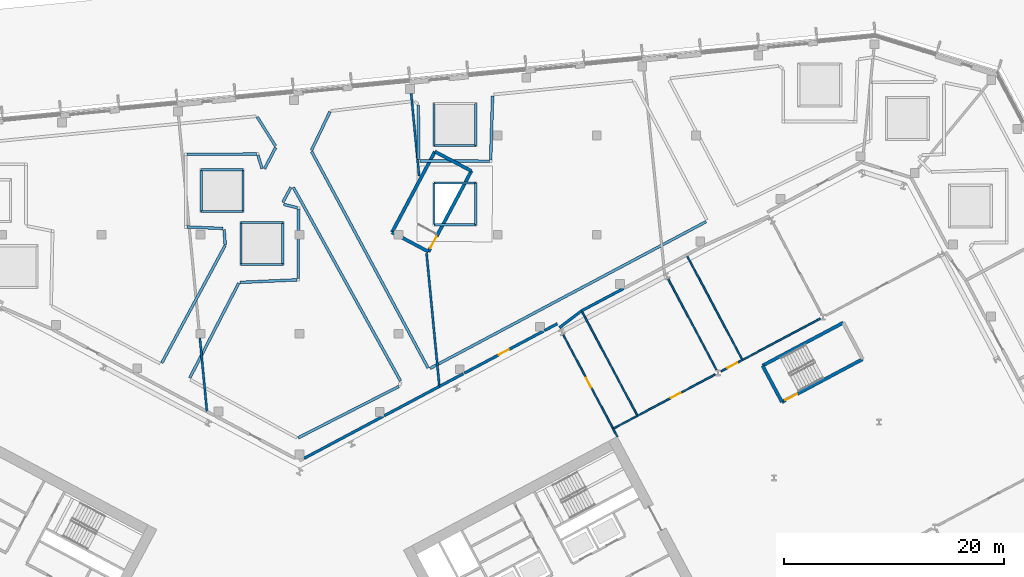
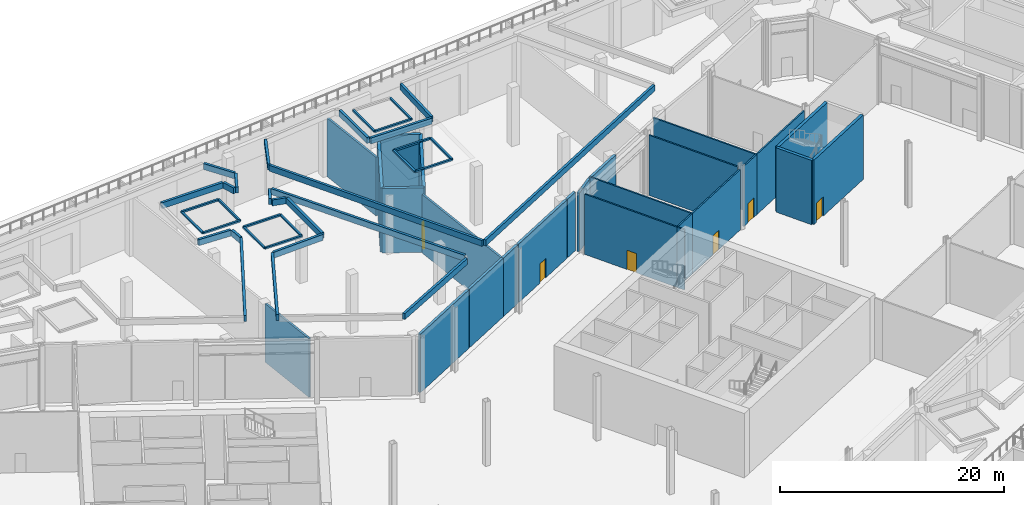
# One storey, part 24 of 57: 61 walls, 6 doors, 6 openings.
"""IFC4 building model written with IfcOpenShell, lengths in metres."""

import ifcopenshell
import ifcopenshell.guid

model = None  # the IFC model being written
_history = None  # IfcOwnerHistory: only IFC2X3 demands one
_inside = {}  # id of a spatial element -> (the spatial element, [elements in it])
_under = {}  # id of a project, library or spatial element -> (it, [spatial elements below it])
_declared = {}  # id of a project -> (the project, [libraries it declares])
_typed = {}  # id of a type object -> (the type object, [elements of that type])
_made_of = {}  # id of a material, layer set ... -> (it, [elements and type objects made of it])


def new_model(schema):
    """Start an empty IFC model of exactly this schema.

    Asked for "IFC4X3", IfcOpenShell would pick the latest addendum, in which some entities
    have other attributes; the version numbers below select the first issue.
    IFC2X3 requires an IfcOwnerHistory on every rooted entity: one is made here for all.
    """
    global model, _history
    if schema == "IFC4X3":
        model = ifcopenshell.file(schema_version=(4, 3, 0, 0))
    else:
        model = ifcopenshell.file(schema=schema)
    _inside.clear()
    _under.clear()
    _declared.clear()
    _typed.clear()
    _made_of.clear()
    _history = None
    if model.schema == "IFC2X3":
        org = make("IfcOrganization", Name="unknown")
        user = make(
            "IfcPersonAndOrganization",
            ThePerson=make("IfcPerson", FamilyName="unknown"),
            TheOrganization=org,
        )
        app = make(
            "IfcApplication",
            ApplicationDeveloper=org,
            Version="unknown",
            ApplicationFullName="unknown",
            ApplicationIdentifier="unknown",
        )
        _history = make(
            "IfcOwnerHistory",
            OwningUser=user,
            OwningApplication=app,
            ChangeAction="ADDED",
            CreationDate=0,
        )
    return model


def make(cls, **values):
    """One entity of the class cls with the attributes given. An attribute that is None is left unset."""
    return model.create_entity(
        cls, **{name: value for name, value in values.items() if value is not None}
    )


def rooted(cls, **values):
    """An entity with a GlobalId (a new one), such as an element, a storey or a relation."""
    return make(cls, GlobalId=ifcopenshell.guid.new(), OwnerHistory=_history, **values)


def si_unit(unit_type, name, prefix=None):
    """IfcSIUnit, for example si_unit("LENGTHUNIT", "METRE", prefix="MILLI")."""
    return make("IfcSIUnit", UnitType=unit_type, Prefix=prefix, Name=name)


def assignment(units):
    """IfcUnitAssignment: the units of a project."""
    return None if units is None else make("IfcUnitAssignment", Units=units)


def point(xyz):
    """IfcCartesianPoint."""
    return None if xyz is None else make("IfcCartesianPoint", Coordinates=xyz)


def direction(xyz):
    """IfcDirection."""
    return None if xyz is None else make("IfcDirection", DirectionRatios=xyz)


def frame(location, z_axis=None, x_axis=None):
    """IfcAxis2Placement3D, a coordinate frame: its origin and axes. An axis left out is left unset."""
    return make(
        "IfcAxis2Placement3D",
        Location=point(location),
        Axis=direction(z_axis),
        RefDirection=direction(x_axis),
    )


def frame_2d(location, x_axis=None):
    """IfcAxis2Placement2D, a coordinate frame in the plane: its origin and x axis."""
    return make(
        "IfcAxis2Placement2D", Location=point(location), RefDirection=direction(x_axis)
    )


def origin():
    """The frame at (0, 0, 0) with its axes left unset."""
    return frame((0.0, 0.0, 0.0))


def place(relative_to, where):
    """IfcLocalPlacement: puts the frame where relative to a parent placement (None: the world)."""
    return make(
        "IfcLocalPlacement", PlacementRelTo=relative_to, RelativePlacement=where
    )


def context(
    kind, dimensions, precision=None, world=None, true_north=None, identifier=None
):
    """IfcGeometricRepresentationContext, for example the 3D "Model" context."""
    return make(
        "IfcGeometricRepresentationContext",
        ContextIdentifier=identifier,
        ContextType=kind,
        CoordinateSpaceDimension=dimensions,
        Precision=precision,
        WorldCoordinateSystem=world,
        TrueNorth=true_north,
    )


def subcontext(parent, identifier, kind, view, scale=None):
    """IfcGeometricRepresentationSubContext, for example "Body" below "Model"."""
    return make(
        "IfcGeometricRepresentationSubContext",
        ContextIdentifier=identifier,
        ContextType=kind,
        ParentContext=parent,
        TargetScale=scale,
        TargetView=view,
    )


def project(units=None, contexts=None):
    """IfcProject with its units and contexts."""
    return rooted(
        "IfcProject",
        Name="project",
        RepresentationContexts=contexts,
        UnitsInContext=assignment(units),
    )


def spatial(cls, under=None, at=None, **own):
    """A site, building, storey or space (cls), placed at a placement, below another one or the project."""
    s = rooted(cls, ObjectPlacement=at, **own)
    if under is not None:
        _under.setdefault(under.id(), (under, []))[1].append(s)
    return s


def profile(cls, at=None, kind="AREA", **sizes):
    """A parametric profile (cls). Its sizes go by their IFC names, for example OverallWidth=200.0."""
    return make(cls, ProfileType=kind, Position=at, **sizes)


def rectangle(**sizes):
    """IfcRectangleProfileDef."""
    return profile("IfcRectangleProfileDef", **sizes)


def extrude(swept, where, along, depth):
    """IfcExtrudedAreaSolid: the profile swept, set in the frame where, extruded along a direction by depth."""
    return make(
        "IfcExtrudedAreaSolid",
        SweptArea=swept,
        Position=where,
        ExtrudedDirection=direction(along),
        Depth=depth,
    )


def shape(context_of_items, identifier, shape_type, items):
    """IfcShapeRepresentation: the items that make up one representation, for example the "Body"."""
    return make(
        "IfcShapeRepresentation",
        ContextOfItems=context_of_items,
        RepresentationIdentifier=identifier,
        RepresentationType=shape_type,
        Items=items,
    )


def material(Name=None, Category=None):
    """IfcMaterial."""
    return make("IfcMaterial", Name=Name, Category=Category)


def layer(
    of_material, thickness, ventilated=None, Name=None, Category=None, Priority=None
):
    """IfcMaterialLayer: one layer of a wall or slab, of a material (None: an air gap)."""
    return make(
        "IfcMaterialLayer",
        Material=of_material,
        LayerThickness=thickness,
        IsVentilated=ventilated,
        Name=Name,
        Category=Category,
        Priority=Priority,
    )


def layer_set(layers, Name=None):
    """IfcMaterialLayerSet."""
    return make("IfcMaterialLayerSet", MaterialLayers=layers, LayerSetName=Name)


def made_of(thing, what):
    """Note that an element or type object is made of a material, layer set ...; save() writes the relation."""
    if what is not None:
        _made_of.setdefault(what.id(), (what, []))[1].append(thing)
    return thing


def type_object(cls, material=None, **own):
    """A type object (cls), such as IfcWallType, which elements share."""
    return made_of(rooted(cls, **own), material)


def element(
    cls,
    number,
    at=None,
    inside=None,
    cuts=None,
    type_object=None,
    material=None,
    context=None,
    identifier="Body",
    shape_type=None,
    held_by="IfcProductDefinitionShape",
    body=None,
    shapes=None,
    **own,
):
    """One element of the class cls, such as IfcWall. Its Tag is "e" and its number.

    at: its placement. inside: the storey or other place that contains it. cuts: it is an
    opening in that element (IfcRelVoidsElement). A single representation is given by context,
    identifier, shape_type and body (its items); several are given by shapes. held_by: the class
    of the entity that holds the representations. save() writes the other relations.
    """
    e = rooted(cls, Tag="e%d" % number, ObjectPlacement=at, **own)
    if body is not None:
        shapes = [shape(context, identifier, shape_type, body)]
    if shapes is not None:
        e.Representation = make(held_by, Representations=shapes)
    if inside is not None:
        _inside.setdefault(inside.id(), (inside, []))[1].append(e)
    if cuts is not None:
        rooted(
            "IfcRelVoidsElement", RelatingBuildingElement=cuts, RelatedOpeningElement=e
        )
    if type_object is not None:
        _typed.setdefault(type_object.id(), (type_object, []))[1].append(e)
    return made_of(e, material)


def fill(opening, filler):
    """IfcRelFillsElement: the door or window that sits in an opening."""
    return rooted(
        "IfcRelFillsElement",
        RelatingOpeningElement=opening,
        RelatedBuildingElement=filler,
    )


def aggregate(whole, parts):
    """IfcRelAggregates: a whole, such as a stair, and the parts it consists of."""
    return rooted("IfcRelAggregates", RelatingObject=whole, RelatedObjects=parts)


def save(model, path):
    """Write the relations noted so far, then the file.

    IfcRelAggregates (storeys below a building ...), IfcRelContainedInSpatialStructure (elements
    in a storey), IfcRelDefinesByType, IfcRelAssociatesMaterial and IfcRelDeclares: one each for
    every whole, place, type object, material and project.
    """
    for whole, parts in _under.values():
        aggregate(whole, parts)
    for where, things in _inside.values():
        rooted(
            "IfcRelContainedInSpatialStructure",
            RelatedElements=things,
            RelatingStructure=where,
        )
    for kind, things in _typed.values():
        rooted("IfcRelDefinesByType", RelatedObjects=things, RelatingType=kind)
    for what, things in _made_of.values():
        rooted("IfcRelAssociatesMaterial", RelatedObjects=things, RelatingMaterial=what)
    for by, libraries in _declared.values():
        rooted("IfcRelDeclares", RelatingContext=by, RelatedDefinitions=libraries)
    model.write(path)


model = new_model("IFC4")

# Units and contexts
model_context = context("Model", 3, precision=1e-05, world=origin(), true_north=direction((0.0, 1.0)))
body_context = subcontext(model_context, "Body", "Model", "MODEL_VIEW")
ifc_project = project(units=[si_unit("LENGTHUNIT", "METRE"), si_unit("AREAUNIT", "SQUARE_METRE"), si_unit("VOLUMEUNIT", "CUBIC_METRE"), si_unit("PLANEANGLEUNIT", "RADIAN"), si_unit("MASSUNIT", "GRAM", prefix="KILO")], contexts=[model_context])

# Site, building, storey
site_placement = place(None, origin())
site = spatial("IfcSite", under=ifc_project, at=site_placement, CompositionType="ELEMENT")
building_placement = place(site_placement, origin())
building = spatial("IfcBuilding", under=site, at=building_placement, Name="Cormorant Relay Tower", CompositionType="ELEMENT")
storey_placement = place(building_placement, origin())
storey = spatial("IfcBuildingStorey", under=building, at=storey_placement, Name="L00", CompositionType="ELEMENT", Elevation=0.0)

# Walls
ifc_material_1 = material(Name="Concrete 30 MPa upstand", Category="concrete")
ifc_layer_1 = layer(ifc_material_1, 0.199951171875)
ifc_layer_set_1 = layer_set([ifc_layer_1], Name="Deck rooflight kerb 200")
wall_type_1 = type_object("IfcWallType", Name="Deck rooflight kerb 200", PredefinedType="SOLIDWALL", material=ifc_layer_set_1)
wall_1_placement = place(storey_placement, frame((16.010986328125, 45.902099609375, 6.919921875), z_axis=(0.0, 0.0, 1.0), x_axis=(-1.0, 0.0, 0.0)))
element("IfcWall", 1, at=wall_1_placement, inside=storey, type_object=wall_type_1, Name="Rooflight kerb", PredefinedType="SOLIDWALL", context=body_context, shape_type="SweptSolid", body=[
    extrude(rectangle(XDim=3.800048828125, YDim=0.199951171875, at=frame_2d((1.89990234375, 0.0))), origin(), (0.0, 0.0, 1.0), 0.18017578125),
])
wall_2_placement = place(storey_placement, frame((12.2109375, 45.902099609375, 6.919921875), z_axis=(0.0, 0.0, 1.0), x_axis=(0.0, 1.0, 0.0)))
element("IfcWall", 2, at=wall_2_placement, inside=storey, type_object=wall_type_1, Name="Rooflight kerb", PredefinedType="SOLIDWALL", context=body_context, shape_type="SweptSolid", body=[
    extrude(rectangle(XDim=3.7998046875, YDim=0.199951171875, at=frame_2d((1.89990234375, 0.0))), origin(), (0.0, 0.0, 1.0), 0.18017578125),
])
wall_3_placement = place(storey_placement, frame((12.2109375, 49.701904296875, 6.919921875), z_axis=(0.0, 0.0, 1.0), x_axis=(1.0, 0.0, 0.0)))
element("IfcWall", 3, at=wall_3_placement, inside=storey, type_object=wall_type_1, Name="Rooflight kerb", PredefinedType="SOLIDWALL", context=body_context, shape_type="SweptSolid", body=[
    extrude(rectangle(XDim=3.800048828125, YDim=0.199951171875, at=frame_2d((1.89990234375, 0.0))), origin(), (0.0, 0.0, 1.0), 0.18017578125),
])
wall_4_placement = place(storey_placement, frame((16.010986328125, 49.701904296875, 6.919921875), z_axis=(0.0, 0.0, 1.0), x_axis=(0.0, -1.0, 0.0)))
element("IfcWall", 4, at=wall_4_placement, inside=storey, type_object=wall_type_1, Name="Rooflight kerb", PredefinedType="SOLIDWALL", context=body_context, shape_type="SweptSolid", body=[
    extrude(rectangle(XDim=3.7998046875, YDim=0.199951171875, at=frame_2d((1.89990234375, 0.0))), origin(), (0.0, 0.0, 1.0), 0.18017578125),
])
for number, where, z_axis, x_axis, name in (
    (5, (16.010986328125, 53.10205078125, 6.919921875), (0.0, 0.0, 1.0), (-1.0, 0.0, 0.0), "Rooflight kerb"),
    (6, (12.2109375, 53.10205078125, 6.919921875), (0.0, 0.0, 1.0), (0.0, 1.0, 0.0), "Rooflight kerb"),
    (7, (16.010986328125, 56.902099609375, 6.919921875), (0.0, 0.0, 1.0), (0.0, -1.0, 0.0), "Rooflight kerb"),
    (8, (-5.125, 47.095947265625, 6.919921875), (0.0, 0.0, 1.0), (-1.0, 0.0, 0.0), "Rooflight kerb"),
    (9, (-8.925048828125, 47.095947265625, 6.919921875), (0.0, 0.0, 1.0), (0.0, 1.0, 0.0), "Rooflight kerb"),
    (10, (-8.925048828125, 50.89599609375, 6.919921875), (0.0, 0.0, 1.0), (1.0, 0.0, 0.0), "Rooflight kerb"),
    (11, (-5.125, 50.89599609375, 6.919921875), (0.0, 0.0, 1.0), (0.0, -1.0, 0.0), "Rooflight kerb"),
    (12, (-1.52490234375, 42.2958984375, 6.919921875), (0.0, 0.0, 1.0), (-1.0, 0.0, 0.0), "Rooflight kerb"),
    (13, (-5.324951171875, 42.2958984375, 6.919921875), (0.0, 0.0, 1.0), (0.0, 1.0, 0.0), "Rooflight kerb"),
    (14, (-5.324951171875, 46.095947265625, 6.919921875), (0.0, 0.0, 1.0), (1.0, 0.0, 0.0), "Rooflight kerb"),
    (15, (-1.52490234375, 46.095947265625, 6.919921875), (0.0, 0.0, 1.0), (0.0, -1.0, 0.0), "Rooflight kerb"),
):
    element("IfcWall", number, at=place(storey_placement, frame(where, z_axis=z_axis, x_axis=x_axis)), inside=storey, type_object=wall_type_1, Name=name, PredefinedType="SOLIDWALL", context=body_context, shape_type="SweptSolid", body=[
        extrude(rectangle(XDim=3.800048828125, YDim=0.199951171875, at=frame_2d((1.89990234375, 0.0))), origin(), (0.0, 0.0, 1.0), 0.18017578125),
    ])
ifc_material_2 = material(Name="Concrete masonry 20 MPa", Category="masonry")
ifc_layer_2 = layer(ifc_material_2, 0.25)
ifc_layer_set_2 = layer_set([ifc_layer_2], Name="Fire separation wall 250")
wall_type_2 = type_object("IfcWallType", Name="Fire separation wall 250", PredefinedType="SOLIDWALL", material=ifc_layer_set_2)
wall_5_placement = place(storey_placement, frame((23.6025390625, 36.552001953125, 0.0), z_axis=(0.0, 0.0, 1.0), x_axis=(0.796006775893, 0.605287710706, 0.0)))
element("IfcWall", 16, at=wall_5_placement, inside=storey, type_object=wall_type_2, Name="Partition", PredefinedType="SOLIDWALL", context=body_context, shape_type="SweptSolid", body=[
    extrude(rectangle(XDim=2.512939453125, YDim=0.25, at=frame_2d((1.25634765625, 0.0))), origin(), (0.0, 0.0, 1.0), 6.3701171875),
])
wall_6_placement = place(storey_placement, frame((25.618896484375, 38.085205078125, 0.0), z_axis=(0.0, 0.0, 1.0), x_axis=(0.88292581618, 0.469512516471, 0.0)))
element("IfcWall", 17, at=wall_6_placement, inside=storey, type_object=wall_type_2, Name="Partition", PredefinedType="SOLIDWALL", context=body_context, shape_type="SweptSolid", body=[
    extrude(rectangle(XDim=4.312744140625, YDim=0.25, at=frame_2d((2.15625, 0.0))), origin(), (0.0, 0.0, 1.0), 6.3701171875),
])
wall_7_placement = place(storey_placement, frame((12.705810546875, 31.21923828125, 0.0), z_axis=(0.0, 0.0, 1.0), x_axis=(0.882909290673, 0.469543591633, 0.0)))
element("IfcWall", 18, at=wall_7_placement, inside=storey, type_object=wall_type_2, Name="Partition", PredefinedType="SOLIDWALL", context=body_context, shape_type="SweptSolid", body=[
    extrude(rectangle(XDim=2.451171875, YDim=0.25, at=frame_2d((1.2255859375, 0.0))), origin(), (0.0, 0.0, 1.0), 6.3701171875),
])

# Wall, opening, door
wall_8_placement = place(storey_placement, frame((14.95703125, 32.416259765625, 0.0), z_axis=(0.0, 0.0, 1.0), x_axis=(0.882948003129, 0.46947079118, 0.0)))
wall_8 = element("IfcWall", 19, at=wall_8_placement, inside=storey, type_object=wall_type_2, Name="Partition", PredefinedType="SOLIDWALL", context=body_context, shape_type="SweptSolid", body=[
    extrude(rectangle(XDim=8.144775390625, YDim=0.25, at=frame_2d((4.072265625, 0.0))), origin(), (0.0, 0.0, 1.0), 6.3701171875),
])
opening_1_placement = place(wall_8_placement, frame((3.572021484375, 0.0, 0.0)))
opening_1 = element("IfcOpeningElement", 20, at=opening_1_placement, cuts=wall_8, Name="Opening PD1-064", PredefinedType="OPENING", context=body_context, shape_type="SweptSolid", body=[
    extrude(rectangle(XDim=1.0, YDim=2.10009765625, at=frame_2d((0.5, 1.050048828125))), frame((0.0, 0.135009765625, 0.0), z_axis=(0.0, -1.0, 0.0), x_axis=(1.0, 0.0, 0.0)), (0.0, 0.0, 1.0), 0.27001953125),
])
ifc_material_3 = material(Name="Steel door leaf", Category="steel")
door_type_1 = type_object("IfcDoorType", Name="Door single 1000", OperationType="SINGLE_SWING_LEFT", PredefinedType="DOOR", material=ifc_material_3)
door_1_placement = place(opening_1_placement, origin())
door_1 = element("IfcDoor", 21, at=door_1_placement, inside=storey, type_object=door_type_1, Name="Door", OperationType="SINGLE_SWING_LEFT", OverallHeight=2.10009765625, OverallWidth=1.0, PredefinedType="DOOR", context=body_context, shape_type="SweptSolid", body=[
    extrude(rectangle(XDim=1.0, YDim=2.10009765625, at=frame_2d((0.5, 1.050048828125))), frame((0.0, 0.02490234375, 0.0), z_axis=(0.0, -1.0, 0.0), x_axis=(1.0, 0.0, 0.0)), (0.0, 0.0, 1.0), 0.050048828125),
])
fill(opening_1, door_1)

# Walls
wall_9_placement = place(storey_placement, frame((22.236083984375, 36.28662109375, 0.0), z_axis=(0.0, 0.0, 1.0), x_axis=(0.882931801402, 0.469501260993, 0.0)))
element("IfcWall", 22, at=wall_9_placement, inside=storey, type_object=wall_type_2, Name="Partition", PredefinedType="SOLIDWALL", context=body_context, shape_type="SweptSolid", body=[
    extrude(rectangle(XDim=1.341064453125, YDim=0.25, at=frame_2d((0.67041015625, 0.0))), origin(), (0.0, 0.0, 1.0), 6.3701171875),
])
wall_10_placement = place(storey_placement, frame((0.39990234375, 24.67626953125, 0.0), z_axis=(0.0, 0.0, 1.0), x_axis=(0.882954609474, 0.469458366214, 0.0)))
element("IfcWall", 23, at=wall_10_placement, inside=storey, type_object=wall_type_2, Name="Partition", PredefinedType="SOLIDWALL", context=body_context, shape_type="SweptSolid", body=[
    extrude(rectangle(XDim=8.14501953125, YDim=0.25, at=frame_2d((4.072509765625, 0.0))), origin(), (0.0, 0.0, 1.0), 6.3701171875),
])
wall_11_placement = place(storey_placement, frame((7.678955078125, 28.54638671875, 0.0), z_axis=(0.0, 0.0, 1.0), x_axis=(0.882942382041, 0.469481362779, 0.0)))
element("IfcWall", 24, at=wall_11_placement, inside=storey, type_object=wall_type_2, Name="Partition", PredefinedType="SOLIDWALL", context=body_context, shape_type="SweptSolid", body=[
    extrude(rectangle(XDim=5.691650390625, YDim=0.25, at=frame_2d((2.845703125, 0.0))), origin(), (0.0, 0.0, 1.0), 6.3701171875),
])
ifc_material_4 = material(Name="Gypsum board on steel stud", Category="steel")
ifc_layer_3 = layer(ifc_material_4, 0.14990234375)
ifc_layer_set_3 = layer_set([ifc_layer_3], Name="Partition 150")
wall_type_3 = type_object("IfcWallType", Name="Partition 150", PredefinedType="PARTITIONING", material=ifc_layer_set_3)
wall_12_placement = place(storey_placement, frame((30.689208984375, 28.54931640625, 0.0), z_axis=(0.0, 0.0, 1.0), x_axis=(-0.882976601649, -0.46941700112, 0.0)))
element("IfcWall", 25, at=wall_12_placement, inside=storey, type_object=wall_type_3, Name="Partition", PredefinedType="PARTITIONING", context=body_context, shape_type="SweptSolid", body=[
    extrude(rectangle(XDim=2.5, YDim=0.14990234375, at=frame_2d((1.25, 0.0))), origin(), (0.0, 0.0, 1.0), 6.550048828125),
])

# Wall, opening, door
wall_13_placement = place(storey_placement, frame((37.75537109375, 32.306640625, 0.0), z_axis=(0.0, 0.0, 1.0), x_axis=(-0.882938312015, -0.469489017099, 0.0)))
wall_13 = element("IfcWall", 26, at=wall_13_placement, inside=storey, type_object=wall_type_3, Name="Partition", PredefinedType="PARTITIONING", context=body_context, shape_type="SweptSolid", body=[
    extrude(rectangle(XDim=8.0029296875, YDim=0.14990234375, at=frame_2d((4.00146484375, 0.0))), origin(), (0.0, 0.0, 1.0), 6.550048828125),
])
opening_2_placement = place(wall_13_placement, frame((3.57958984375, 0.0, 0.0)))
opening_2 = element("IfcOpeningElement", 27, at=opening_2_placement, cuts=wall_13, Name="Opening PD1-076", PredefinedType="OPENING", context=body_context, shape_type="SweptSolid", body=[
    extrude(rectangle(XDim=1.0, YDim=2.10009765625, at=frame_2d((0.5, 1.050048828125))), frame((0.0, 0.0849609375, 0.0), z_axis=(0.0, -1.0, 0.0), x_axis=(1.0, 0.0, 0.0)), (0.0, 0.0, 1.0), 0.169921875),
])
door_2_placement = place(opening_2_placement, frame((1.0, 0.0, 0.0), z_axis=(0.0, 0.0, 1.0), x_axis=(-1.0, 0.0, 0.0)))
door_2 = element("IfcDoor", 28, at=door_2_placement, inside=storey, type_object=door_type_1, Name="Door", OperationType="SINGLE_SWING_LEFT", OverallHeight=2.10009765625, OverallWidth=1.0, PredefinedType="DOOR", context=body_context, shape_type="SweptSolid", body=[
    extrude(rectangle(XDim=1.0, YDim=2.10009765625, at=frame_2d((0.5, 1.050048828125))), frame((0.0, 0.02490234375, 0.0), z_axis=(0.0, -1.0, 0.0), x_axis=(1.0, 0.0, 0.0)), (0.0, 0.0, 1.0), 0.050048828125),
])
fill(opening_2, door_2)

wall_14_placement = place(storey_placement, frame((40.224853515625, 33.61962890625, 0.0), z_axis=(0.0, 0.0, 1.0), x_axis=(-0.882972129196, -0.469425413739, 0.0)))
wall_14 = element("IfcWall", 29, at=wall_14_placement, inside=storey, type_object=wall_type_3, Name="Partition", PredefinedType="PARTITIONING", context=body_context, shape_type="SweptSolid", body=[
    extrude(rectangle(XDim=2.2021484375, YDim=0.14990234375, at=frame_2d((1.10107421875, 0.0))), origin(), (0.0, 0.0, 1.0), 6.550048828125),
])
opening_3_placement = place(wall_14_placement, frame((0.52294921875, 0.0, 0.0)))
opening_3 = element("IfcOpeningElement", 30, at=opening_3_placement, cuts=wall_14, Name="Opening PD1-079", PredefinedType="OPENING", context=body_context, shape_type="SweptSolid", body=[
    extrude(rectangle(XDim=1.0, YDim=2.10009765625, at=frame_2d((0.5, 1.050048828125))), frame((0.0, 0.0849609375, 0.0), z_axis=(0.0, -1.0, 0.0), x_axis=(1.0, 0.0, 0.0)), (0.0, 0.0, 1.0), 0.169921875),
])
door_3_placement = place(opening_3_placement, frame((1.0, 0.0, 0.0), z_axis=(0.0, 0.0, 1.0), x_axis=(-1.0, 0.0, 0.0)))
door_3 = element("IfcDoor", 31, at=door_3_placement, inside=storey, type_object=door_type_1, Name="Door", OperationType="SINGLE_SWING_RIGHT", OverallHeight=2.10009765625, OverallWidth=1.0, PredefinedType="DOOR", context=body_context, shape_type="SweptSolid", body=[
    extrude(rectangle(XDim=1.0, YDim=2.10009765625, at=frame_2d((0.5, 1.050048828125))), frame((0.0, 0.02490234375, 0.0), z_axis=(0.0, -1.0, 0.0), x_axis=(1.0, 0.0, 0.0)), (0.0, 0.0, 1.0), 0.050048828125),
])
fill(opening_3, door_3)

# Walls
wall_15_placement = place(storey_placement, frame((47.29052734375, 37.37646484375, 0.0), z_axis=(0.0, 0.0, 1.0), x_axis=(-0.882950155787, -0.469466742588, 0.0)))
element("IfcWall", 32, at=wall_15_placement, inside=storey, type_object=wall_type_3, Name="Partition", PredefinedType="PARTITIONING", context=body_context, shape_type="SweptSolid", body=[
    extrude(rectangle(XDim=8.00244140625, YDim=0.14990234375, at=frame_2d((4.001220703125, 0.0))), origin(), (0.0, 0.0, 1.0), 6.550048828125),
])
wall_16_placement = place(storey_placement, frame((28.484619140625, 27.37060546875, 0.0), z_axis=(0.0, 0.0, 1.0), x_axis=(0.469454908155, -0.882956448082, 0.0)))
element("IfcWall", 33, at=wall_16_placement, inside=storey, type_object=wall_type_3, Name="Partition", PredefinedType="PARTITIONING", context=body_context, shape_type="SweptSolid", body=[
    extrude(rectangle(XDim=0.794189453125, YDim=0.14990234375, at=frame_2d((0.39697265625, 0.0))), origin(), (0.0, 0.0, 1.0), 6.550048828125),
])
wall_17_placement = place(storey_placement, frame((30.689208984375, 28.54931640625, 0.0), z_axis=(0.0, 0.0, 1.0), x_axis=(-0.469470880923, 0.882947955411, 0.0)))
element("IfcWall", 34, at=wall_17_placement, inside=storey, type_object=wall_type_3, Name="Partition", PredefinedType="PARTITIONING", context=body_context, shape_type="SweptSolid", body=[
    extrude(rectangle(XDim=10.800048828125, YDim=0.14990234375, at=frame_2d((5.39990234375, 0.0))), origin(), (0.0, 0.0, 1.0), 6.550048828125),
])

# Wall, opening, door
wall_18_placement = place(storey_placement, frame((23.935791015625, 35.925537109375, 0.0), z_axis=(0.0, 0.0, 1.0), x_axis=(0.469473365889, -0.882946634129, 0.0)))
wall_18 = element("IfcWall", 35, at=wall_18_placement, inside=storey, type_object=wall_type_3, Name="Partition", PredefinedType="PARTITIONING", context=body_context, shape_type="SweptSolid", body=[
    extrude(rectangle(XDim=9.687255859375, YDim=0.14990234375, at=frame_2d((4.84375, 0.0))), origin(), (0.0, 0.0, 1.0), 6.550048828125),
])
opening_4_placement = place(wall_18_placement, frame((4.441650390625, 0.0, 0.0)))
opening_4 = element("IfcOpeningElement", 36, at=opening_4_placement, cuts=wall_18, Name="Opening PD1-077", PredefinedType="OPENING", context=body_context, shape_type="SweptSolid", body=[
    extrude(rectangle(XDim=1.0, YDim=2.10009765625, at=frame_2d((0.5, 1.050048828125))), frame((0.0, 0.0849609375, 0.0), z_axis=(0.0, -1.0, 0.0), x_axis=(1.0, 0.0, 0.0)), (0.0, 0.0, 1.0), 0.169921875),
])
door_4_placement = place(opening_4_placement, origin())
door_4 = element("IfcDoor", 37, at=door_4_placement, inside=storey, type_object=door_type_1, Name="Door", OperationType="SINGLE_SWING_RIGHT", OverallHeight=2.10009765625, OverallWidth=1.0, PredefinedType="DOOR", context=body_context, shape_type="SweptSolid", body=[
    extrude(rectangle(XDim=1.0, YDim=2.10009765625, at=frame_2d((0.5, 1.050048828125))), frame((0.0, 0.02490234375, 0.0), z_axis=(0.0, -1.0, 0.0), x_axis=(1.0, 0.0, 0.0)), (0.0, 0.0, 1.0), 0.050048828125),
])
fill(opening_4, door_4)

# Walls
wall_19_placement = place(storey_placement, frame((37.849609375, 32.761962890625, 0.0), z_axis=(0.0, 0.0, 1.0), x_axis=(-0.469481854544, 0.882942120557, 0.0)))
element("IfcWall", 38, at=wall_19_placement, inside=storey, type_object=wall_type_3, Name="Partition", PredefinedType="PARTITIONING", context=body_context, shape_type="SweptSolid", body=[
    extrude(rectangle(XDim=9.326171875, YDim=0.14990234375, at=frame_2d((4.6630859375, 0.0))), origin(), (0.0, 0.0, 1.0), 6.550048828125),
])
wall_20_placement = place(storey_placement, frame((40.224853515625, 33.61962890625, 0.0), z_axis=(0.0, 0.0, 1.0), x_axis=(-0.469470880923, 0.882947955411, 0.0)))
element("IfcWall", 39, at=wall_20_placement, inside=storey, type_object=wall_type_3, Name="Partition", PredefinedType="PARTITIONING", context=body_context, shape_type="SweptSolid", body=[
    extrude(rectangle(XDim=10.800048828125, YDim=0.14990234375, at=frame_2d((5.39990234375, 0.0))), origin(), (0.0, 0.0, 1.0), 6.550048828125),
])
ifc_material_5 = material(Name="Concrete masonry 20 MPa", Category="masonry")
ifc_layer_4 = layer(ifc_material_5, 0.199951171875)
ifc_layer_set_4 = layer_set([ifc_layer_4], Name="Plant room wall 200")
wall_type_4 = type_object("IfcWallType", Name="Plant room wall 200", PredefinedType="PARTITIONING", material=ifc_layer_set_4)
wall_21_placement = place(storey_placement, frame((10.135009765625, 57.833984375, 0.0), z_axis=(0.0, 0.0, 1.0), x_axis=(0.095941692949, -0.995386955688, 0.0)))
element("IfcWall", 40, at=wall_21_placement, inside=storey, type_object=wall_type_4, Name="Partition", PredefinedType="PARTITIONING", context=body_context, shape_type="SweptSolid", body=[
    extrude(rectangle(XDim=7.527099609375, YDim=0.199951171875, at=frame_2d((3.763671875, 0.0))), origin(), (0.0, 0.0, 1.0), 6.3701171875),
])
wall_22_placement = place(storey_placement, frame((11.534423828125, 43.31494140625, 0.0), z_axis=(0.0, 0.0, 1.0), x_axis=(0.095933245663, -0.995387769855, 0.0)))
element("IfcWall", 41, at=wall_22_placement, inside=storey, type_object=wall_type_4, Name="Partition", PredefinedType="PARTITIONING", context=body_context, shape_type="SweptSolid", body=[
    extrude(rectangle(XDim=12.154541015625, YDim=0.199951171875, at=frame_2d((6.0771484375, 0.0))), origin(), (0.0, 0.0, 1.0), 6.3701171875),
])
wall_23_placement = place(storey_placement, frame((-9.0537109375, 35.60009765625, 0.0), z_axis=(0.0, 0.0, 1.0), x_axis=(0.095939612703, -0.995387156193, 0.0)))
element("IfcWall", 42, at=wall_23_placement, inside=storey, type_object=wall_type_4, Name="Partition", PredefinedType="PARTITIONING", context=body_context, shape_type="SweptSolid", body=[
    extrude(rectangle(XDim=6.6953125, YDim=0.199951171875, at=frame_2d((3.34765625, 0.0))), origin(), (0.0, 0.0, 1.0), 6.3701171875),
])
ifc_material_6 = material(Name="Concrete 40 MPa", Category="concrete")
ifc_layer_5 = layer(ifc_material_6, 0.25)
ifc_layer_set_5 = layer_set([ifc_layer_5], Name="Planter kerb 250")
wall_type_5 = type_object("IfcWallType", Name="Planter kerb 250", PredefinedType="STANDARD", material=ifc_layer_set_5)
wall_24_placement = place(storey_placement, frame((9.0087890625, 31.209228515625, 7.0), z_axis=(0.0, 0.0, 1.0), x_axis=(-0.890717029018, -0.454558218732, 0.0)))
element("IfcWall", 43, at=wall_24_placement, inside=storey, type_object=wall_type_5, Name="PLANTER 08 kerb", PredefinedType="STANDARD", context=body_context, shape_type="SweptSolid", body=[
    extrude(rectangle(XDim=10.2568359375, YDim=0.25, at=frame_2d((5.12841796875, 0.0))), origin(), (0.0, 0.0, 1.0), 0.64990234375),
])
wall_25_placement = place(storey_placement, frame((-9.97314453125, 31.98974609375, 7.0), z_axis=(0.0, 0.0, 1.0), x_axis=(0.459176152328, 0.888345237581, 0.0)))
element("IfcWall", 44, at=wall_25_placement, inside=storey, type_object=wall_type_5, Name="PLANTER 08 kerb", PredefinedType="STANDARD", context=body_context, shape_type="SweptSolid", body=[
    extrude(rectangle(XDim=9.690185546875, YDim=0.25, at=frame_2d((4.84521484375, 0.0))), origin(), (0.0, 0.0, 1.0), 0.64990234375),
])
wall_26_placement = place(storey_placement, frame((-5.418212890625, 40.665283203125, 7.0), z_axis=(0.0, 0.0, 1.0), x_axis=(0.999022428097, 0.04420620047, 0.0)))
element("IfcWall", 45, at=wall_26_placement, inside=storey, type_object=wall_type_5, Name="PLANTER 08 kerb", PredefinedType="STANDARD", context=body_context, shape_type="SweptSolid", body=[
    extrude(rectangle(XDim=5.180419921875, YDim=0.25, at=frame_2d((2.59033203125, 0.0))), origin(), (0.0, 0.0, 1.0), 0.64990234375),
])
wall_27_placement = place(storey_placement, frame((-0.123291015625, 41.018310546875, 7.0), z_axis=(0.0, 0.0, 1.0), x_axis=(0.003682859304, 0.999993218251, 0.0)))
element("IfcWall", 46, at=wall_27_placement, inside=storey, type_object=wall_type_5, Name="PLANTER 08 kerb", PredefinedType="STANDARD", context=body_context, shape_type="SweptSolid", body=[
    extrude(rectangle(XDim=6.297607421875, YDim=0.25, at=frame_2d((3.14892578125, 0.0))), origin(), (0.0, 0.0, 1.0), 0.64990234375),
])
wall_28_placement = place(storey_placement, frame((-0.19384765625, 47.4375, 7.0), z_axis=(0.0, 0.0, 1.0), x_axis=(-0.96830694261, 0.249763217655, 0.0)))
element("IfcWall", 47, at=wall_28_placement, inside=storey, type_object=wall_type_5, Name="PLANTER 08 kerb", PredefinedType="STANDARD", context=body_context, shape_type="SweptSolid", body=[
    extrude(rectangle(XDim=1.286376953125, YDim=0.25, at=frame_2d((0.64306640625, 0.0))), origin(), (0.0, 0.0, 1.0), 0.64990234375),
])
wall_29_placement = place(storey_placement, frame((-1.518310546875, 47.93896484375, 7.0), z_axis=(0.0, 0.0, 1.0), x_axis=(0.472883551292, 0.881124932639, 0.0)))
element("IfcWall", 48, at=wall_29_placement, inside=storey, type_object=wall_type_5, Name="PLANTER 08 kerb", PredefinedType="STANDARD", context=body_context, shape_type="SweptSolid", body=[
    extrude(rectangle(XDim=1.544677734375, YDim=0.25, at=frame_2d((0.7724609375, 0.0))), origin(), (0.0, 0.0, 1.0), 0.64990234375),
])
wall_30_placement = place(storey_placement, frame((-0.568359375, 49.301513671875, 7.0), z_axis=(0.0, 0.0, 1.0), x_axis=(0.484320034281, -0.874890909996, 0.0)))
element("IfcWall", 49, at=wall_30_placement, inside=storey, type_object=wall_type_5, Name="PLANTER 08 kerb", PredefinedType="STANDARD", context=body_context, shape_type="SweptSolid", body=[
    extrude(rectangle(XDim=20.096435546875, YDim=0.25, at=frame_2d((10.04833984375, 0.0))), origin(), (0.0, 0.0, 1.0), 0.64990234375),
])
wall_31_placement = place(storey_placement, frame((10.78662109375, 56.76171875, 7.0), z_axis=(0.0, 0.0, 1.0), x_axis=(0.004598903003, -0.99998942499, 0.0)))
element("IfcWall", 50, at=wall_31_placement, inside=storey, type_object=wall_type_5, Name="PLANTER 10 kerb", PredefinedType="STANDARD", context=body_context, shape_type="SweptSolid", body=[
    extrude(rectangle(XDim=4.93701171875, YDim=0.25, at=frame_2d((2.468505859375, 0.0))), origin(), (0.0, 0.0, 1.0), 0.64990234375),
])
wall_32_placement = place(storey_placement, frame((10.933837890625, 51.7001953125, 7.0), z_axis=(0.0, 0.0, 1.0), x_axis=(0.999993217199, -0.00368314487, 0.0)))
element("IfcWall", 51, at=wall_32_placement, inside=storey, type_object=wall_type_5, Name="PLANTER 10 kerb", PredefinedType="STANDARD", context=body_context, shape_type="SweptSolid", body=[
    extrude(rectangle(XDim=6.297119140625, YDim=0.25, at=frame_2d((3.1484375, 0.0))), origin(), (0.0, 0.0, 1.0), 0.64990234375),
])
wall_33_placement = place(storey_placement, frame((17.3564453125, 51.798095703125, 7.0), z_axis=(0.0, 0.0, 1.0), x_axis=(0.030389518646, 0.999538131917, 0.0)))
element("IfcWall", 52, at=wall_33_placement, inside=storey, type_object=wall_type_5, Name="PLANTER 10 kerb", PredefinedType="STANDARD", context=body_context, shape_type="SweptSolid", body=[
    extrude(rectangle(XDim=5.81640625, YDim=0.25, at=frame_2d((2.908203125, 0.0))), origin(), (0.0, 0.0, 1.0), 0.64990234375),
])
wall_34_placement = place(storey_placement, frame((36.929443359375, 46.185546875, 7.0), z_axis=(0.0, 0.0, 1.0), x_axis=(-0.882949235495, -0.469468473423, 0.0)))
element("IfcWall", 53, at=wall_34_placement, inside=storey, type_object=wall_type_5, Name="PLANTER 10 kerb", PredefinedType="STANDARD", context=body_context, shape_type="SweptSolid", body=[
    extrude(rectangle(XDim=28.413818359375, YDim=0.25, at=frame_2d((14.20703125, 0.0))), origin(), (0.0, 0.0, 1.0), 0.64990234375),
])
wall_35_placement = place(storey_placement, frame((11.6728515625, 32.897216796875, 7.0), z_axis=(0.0, 0.0, 1.0), x_axis=(-0.474018312506, 0.880514985341, 0.0)))
element("IfcWall", 54, at=wall_35_placement, inside=storey, type_object=wall_type_5, Name="PLANTER 10 kerb", PredefinedType="STANDARD", context=body_context, shape_type="SweptSolid", body=[
    extrude(rectangle(XDim=22.3271484375, YDim=0.25, at=frame_2d((11.16357421875, 0.0))), origin(), (0.0, 0.0, 1.0), 0.64990234375),
])
wall_36_placement = place(storey_placement, frame((1.086669921875, 52.669921875, 7.0), z_axis=(0.0, 0.0, 1.0), x_axis=(0.43135733775, 0.902181160948, 0.0)))
element("IfcWall", 55, at=wall_36_placement, inside=storey, type_object=wall_type_5, Name="PLANTER 10 kerb", PredefinedType="STANDARD", context=body_context, shape_type="SweptSolid", body=[
    extrude(rectangle(XDim=3.87255859375, YDim=0.25, at=frame_2d((1.936279296875, 0.0))), origin(), (0.0, 0.0, 1.0), 0.64990234375),
])
wall_37_placement = place(storey_placement, frame((-3.84814453125, 55.695068359375, 7.0), z_axis=(0.0, 0.0, 1.0), x_axis=(0.531726572734, -0.846916083121, 0.0)))
element("IfcWall", 56, at=wall_37_placement, inside=storey, type_object=wall_type_5, Name="PLANTER 11 kerb", PredefinedType="STANDARD", context=body_context, shape_type="SweptSolid", body=[
    extrude(rectangle(XDim=3.135498046875, YDim=0.25, at=frame_2d((1.56787109375, 0.0))), origin(), (0.0, 0.0, 1.0), 0.64990234375),
])
wall_38_placement = place(storey_placement, frame((-2.17578125, 52.91552734375, 7.0), z_axis=(0.0, 0.0, 1.0), x_axis=(-0.460418800081, -0.887701824112, 0.0)))
element("IfcWall", 57, at=wall_38_placement, inside=storey, type_object=wall_type_5, Name="PLANTER 11 kerb", PredefinedType="STANDARD", context=body_context, shape_type="SweptSolid", body=[
    extrude(rectangle(XDim=2.173583984375, YDim=0.25, at=frame_2d((1.0869140625, 0.0))), origin(), (0.0, 0.0, 1.0), 0.64990234375),
])
wall_39_placement = place(storey_placement, frame((-3.40673828125, 51.0068359375, 7.0), z_axis=(0.0, 0.0, 1.0), x_axis=(-0.294914687622, 0.955523587896, 0.0)))
element("IfcWall", 58, at=wall_39_placement, inside=storey, type_object=wall_type_5, Name="PLANTER 11 kerb", PredefinedType="STANDARD", context=body_context, shape_type="SweptSolid", body=[
    extrude(rectangle(XDim=1.283203125, YDim=0.25, at=frame_2d((0.6416015625, 0.0))), origin(), (0.0, 0.0, 1.0), 0.64990234375),
])
wall_40_placement = place(storey_placement, frame((-3.905029296875, 52.321044921875, 7.0), z_axis=(0.0, 0.0, 1.0), x_axis=(-0.999993073653, -0.003721914282, 0.0)))
element("IfcWall", 59, at=wall_40_placement, inside=storey, type_object=wall_type_5, Name="PLANTER 11 kerb", PredefinedType="STANDARD", context=body_context, shape_type="SweptSolid", body=[
    extrude(rectangle(XDim=6.297119140625, YDim=0.25, at=frame_2d((3.1484375, 0.0))), origin(), (0.0, 0.0, 1.0), 0.64990234375),
])
wall_41_placement = place(storey_placement, frame((-10.206787109375, 45.6943359375, 7.0), z_axis=(0.0, 0.0, 1.0), x_axis=(0.999177304927, -0.040555065262, 0.0)))
element("IfcWall", 60, at=wall_41_placement, inside=storey, type_object=wall_type_5, Name="PLANTER 11 kerb", PredefinedType="STANDARD", context=body_context, shape_type="SweptSolid", body=[
    extrude(rectangle(XDim=3.23876953125, YDim=0.25, at=frame_2d((1.619384765625, 0.0))), origin(), (0.0, 0.0, 1.0), 0.64990234375),
])
wall_42_placement = place(storey_placement, frame((-6.851318359375, 45.447021484375, 7.0), z_axis=(0.0, 0.0, 1.0), x_axis=(0.0699630832, -0.997549581218, 0.0)))
element("IfcWall", 61, at=wall_42_placement, inside=storey, type_object=wall_type_5, Name="PLANTER 11 kerb", PredefinedType="STANDARD", context=body_context, shape_type="SweptSolid", body=[
    extrude(rectangle(XDim=1.37841796875, YDim=0.25, at=frame_2d((0.689208984375, 0.0))), origin(), (0.0, 0.0, 1.0), 0.64990234375),
])
wall_43_placement = place(storey_placement, frame((-6.769287109375, 44.00390625, 7.0), z_axis=(0.0, 0.0, 1.0), x_axis=(-0.474462876448, -0.880275513049, 0.0)))
element("IfcWall", 62, at=wall_43_placement, inside=storey, type_object=wall_type_5, Name="PLANTER 11 kerb", PredefinedType="STANDARD", context=body_context, shape_type="SweptSolid", body=[
    extrude(rectangle(XDim=12.109130859375, YDim=0.25, at=frame_2d((6.0546875, 0.0))), origin(), (0.0, 0.0, 1.0), 0.64990234375),
])

# Wall, opening, door
ifc_material_7 = material(Name="Concrete 50 MPa", Category="concrete")
ifc_layer_6 = layer(ifc_material_7, 0.300048828125)
ifc_layer_set_6 = layer_set([ifc_layer_6], Name="Remote stair wall 300")
wall_type_6 = type_object("IfcWallType", Name="Remote stair wall 300", PredefinedType="SHEAR", material=ifc_layer_set_6)
wall_44_placement = place(storey_placement, frame((51.14453125, 33.69287109375, 0.0), z_axis=(0.0, 0.0, 1.0), x_axis=(-0.882945809314, -0.469474917132, 0.0)))
wall_44 = element("IfcWall", 63, at=wall_44_placement, inside=storey, type_object=wall_type_6, Name="L00 exit stair RB1 wall", PredefinedType="SHEAR", context=body_context, shape_type="SweptSolid", body=[
    extrude(rectangle(XDim=8.30029296875, YDim=0.300048828125, at=frame_2d((4.150146484375, 0.0))), origin(), (0.0, 0.0, 1.0), 7.0),
])
opening_5_placement = place(wall_44_placement, frame((6.72509765625, 0.0, 0.0)))
opening_5 = element("IfcOpeningElement", 64, at=opening_5_placement, cuts=wall_44, Name="Opening CDB-011", PredefinedType="OPENING", context=body_context, shape_type="SweptSolid", body=[
    extrude(rectangle(XDim=1.199951171875, YDim=2.10009765625, at=frame_2d((0.60009765625, 1.050048828125))), frame((0.0, 0.159912109375, 0.0), z_axis=(0.0, -1.0, 0.0), x_axis=(1.0, 0.0, 0.0)), (0.0, 0.0, 1.0), 0.320068359375),
])
ifc_material_8 = material(Name="Steel fire door", Category="steel")
door_type_2 = type_object("IfcDoorType", Name="Core stair door 1200x2100", OperationType="SINGLE_SWING_LEFT", PredefinedType="DOOR", material=ifc_material_8)
door_5_placement = place(opening_5_placement, frame((1.199951171875, 0.0, 0.0), z_axis=(0.0, 0.0, 1.0), x_axis=(-1.0, 0.0, 0.0)))
door_5 = element("IfcDoor", 65, at=door_5_placement, inside=storey, type_object=door_type_2, Name="Exit stair RB1 door", OperationType="SINGLE_SWING_LEFT", OverallHeight=2.10009765625, OverallWidth=1.199951171875, PredefinedType="DOOR", context=body_context, shape_type="SweptSolid", body=[
    extrude(rectangle(XDim=1.199951171875, YDim=2.10009765625, at=frame_2d((0.60009765625, 1.050048828125))), frame((0.0, 0.02490234375, 0.0), z_axis=(0.0, -1.0, 0.0), x_axis=(1.0, 0.0, 0.0)), (0.0, 0.0, 1.0), 0.050048828125),
])
fill(opening_5, door_5)

# Walls
wall_45_placement = place(storey_placement, frame((43.81591796875, 29.796142578125, 0.0), z_axis=(0.0, 0.0, 1.0), x_axis=(-0.46946936446, 0.882948761726, 0.0)))
element("IfcWall", 66, at=wall_45_placement, inside=storey, type_object=wall_type_6, Name="L00 exit stair RB1 wall", PredefinedType="SHEAR", context=body_context, shape_type="SweptSolid", body=[
    extrude(rectangle(XDim=3.75, YDim=0.300048828125, at=frame_2d((1.875, 0.0))), origin(), (0.0, 0.0, 1.0), 7.0),
])
wall_46_placement = place(storey_placement, frame((42.055419921875, 33.107177734375, 0.0), z_axis=(0.0, 0.0, 1.0), x_axis=(0.882945809314, 0.469474917132, 0.0)))
element("IfcWall", 67, at=wall_46_placement, inside=storey, type_object=wall_type_6, Name="L00 exit stair RB1 wall", PredefinedType="SHEAR", context=body_context, shape_type="SweptSolid", body=[
    extrude(rectangle(XDim=8.30029296875, YDim=0.300048828125, at=frame_2d((4.150146484375, 0.0))), origin(), (0.0, 0.0, 1.0), 7.0),
])
wall_47_placement = place(storey_placement, frame((12.292724609375, 52.54443359375, 0.0), z_axis=(0.0, 0.0, 1.0), x_axis=(0.882948761726, -0.46946936446, 0.0)))
element("IfcWall", 68, at=wall_47_placement, inside=storey, type_object=wall_type_6, Name="L00 exit stair RN1 wall", PredefinedType="SHEAR", context=body_context, shape_type="SweptSolid", body=[
    extrude(rectangle(XDim=3.75, YDim=0.300048828125, at=frame_2d((1.875, 0.0))), origin(), (0.0, 0.0, 1.0), 7.0),
])

# Wall, opening, door
wall_48_placement = place(storey_placement, frame((15.603759765625, 50.783935546875, 0.0), z_axis=(0.0, 0.0, 1.0), x_axis=(-0.469464178475, -0.882951519127, 0.0)))
wall_48 = element("IfcWall", 69, at=wall_48_placement, inside=storey, type_object=wall_type_6, Name="L00 exit stair RN1 wall", PredefinedType="SHEAR", context=body_context, shape_type="SweptSolid", body=[
    extrude(rectangle(XDim=8.2998046875, YDim=0.300048828125, at=frame_2d((4.14990234375, 0.0))), origin(), (0.0, 0.0, 1.0), 7.0),
])
opening_6_placement = place(wall_48_placement, frame((6.72509765625, 0.0, 0.0)))
opening_6 = element("IfcOpeningElement", 70, at=opening_6_placement, cuts=wall_48, Name="Opening CDB-012", PredefinedType="OPENING", context=body_context, shape_type="SweptSolid", body=[
    extrude(rectangle(XDim=1.199951171875, YDim=2.10009765625, at=frame_2d((0.60009765625, 1.050048828125))), frame((0.0, 0.159912109375, 0.0), z_axis=(0.0, -1.0, 0.0), x_axis=(1.0, 0.0, 0.0)), (0.0, 0.0, 1.0), 0.320068359375),
])
door_6_placement = place(opening_6_placement, frame((1.199951171875, 0.0, 0.0), z_axis=(0.0, 0.0, 1.0), x_axis=(-1.0, 0.0, 0.0)))
door_6 = element("IfcDoor", 71, at=door_6_placement, inside=storey, type_object=door_type_2, Name="Exit stair RN1 door", OperationType="SINGLE_SWING_LEFT", OverallHeight=2.10009765625, OverallWidth=1.199951171875, PredefinedType="DOOR", context=body_context, shape_type="SweptSolid", body=[
    extrude(rectangle(XDim=1.199951171875, YDim=2.10009765625, at=frame_2d((0.60009765625, 1.050048828125))), frame((0.0, 0.02490234375, 0.0), z_axis=(0.0, -1.0, 0.0), x_axis=(1.0, 0.0, 0.0)), (0.0, 0.0, 1.0), 0.050048828125),
])
fill(opening_6, door_6)

# Walls
wall_49_placement = place(storey_placement, frame((11.707275390625, 43.45556640625, 0.0), z_axis=(0.0, 0.0, 1.0), x_axis=(-0.882948761726, 0.46946936446, 0.0)))
element("IfcWall", 72, at=wall_49_placement, inside=storey, type_object=wall_type_6, Name="L00 exit stair RN1 wall", PredefinedType="SHEAR", context=body_context, shape_type="SweptSolid", body=[
    extrude(rectangle(XDim=3.75, YDim=0.300048828125, at=frame_2d((1.875, 0.0))), origin(), (0.0, 0.0, 1.0), 7.0),
])
wall_50_placement = place(storey_placement, frame((8.396240234375, 45.216064453125, 0.0), z_axis=(0.0, 0.0, 1.0), x_axis=(0.469464178475, 0.882951519127, 0.0)))
element("IfcWall", 73, at=wall_50_placement, inside=storey, type_object=wall_type_6, Name="L00 exit stair RN1 wall", PredefinedType="SHEAR", context=body_context, shape_type="SweptSolid", body=[
    extrude(rectangle(XDim=8.2998046875, YDim=0.300048828125, at=frame_2d((4.14990234375, 0.0))), origin(), (0.0, 0.0, 1.0), 7.0),
])

save(model, "model.ifc")
